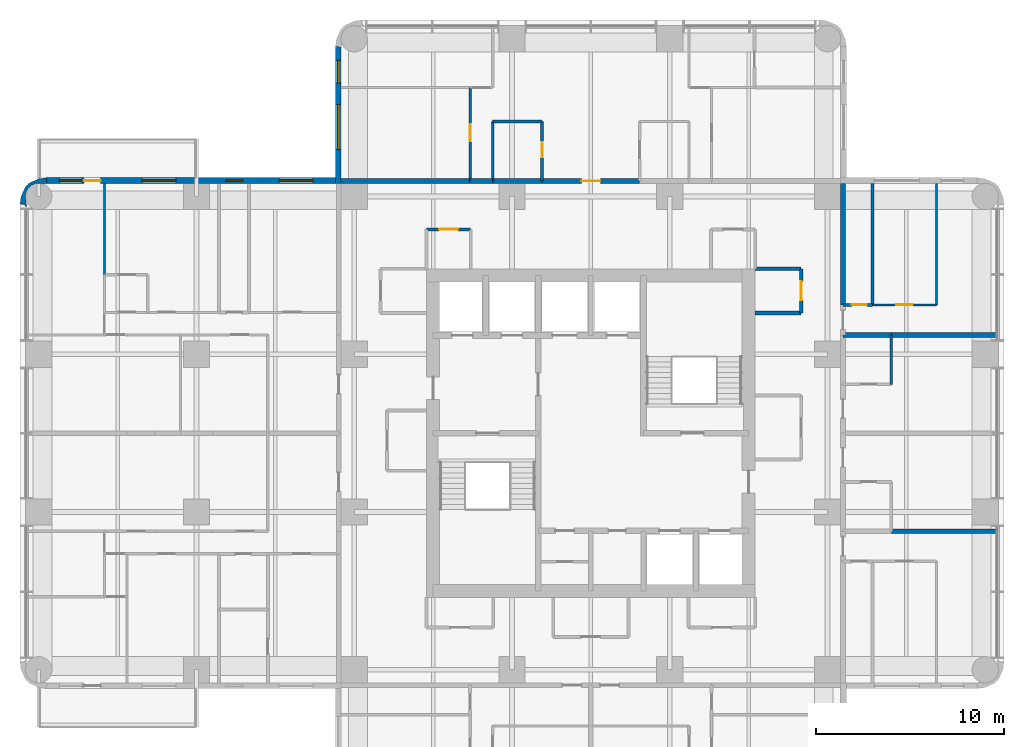
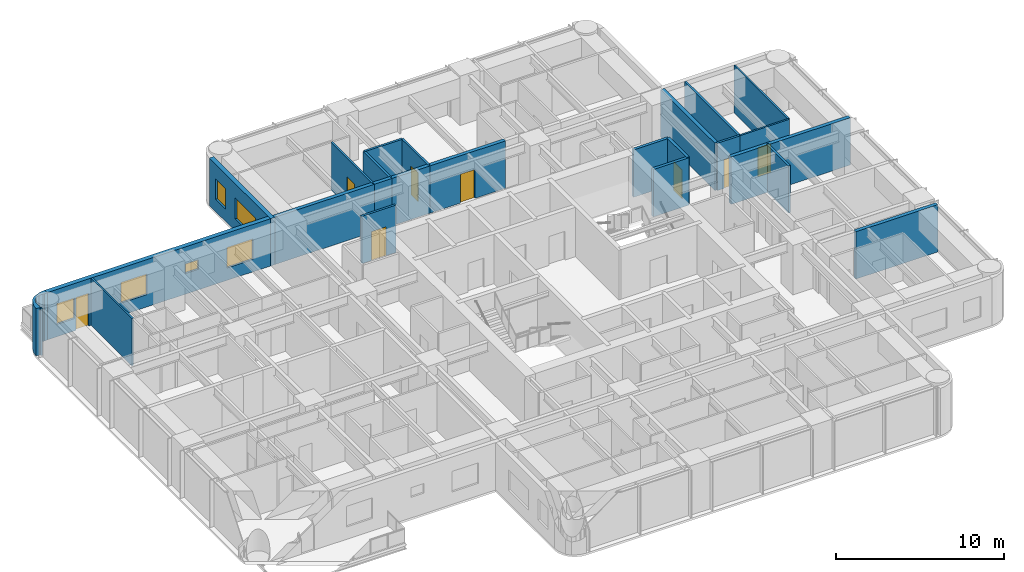
# One storey, part 9 of 12: 25 walls, 8 doors, 6 windows, 14 openings.
"""IFC4 building model written with IfcOpenShell, lengths in metres."""

from ifc_helpers import new_model, si_unit, direction, frame, frame_2d, origin, place, context, subcontext, project, spatial, polyline, rectangle, outline, extrude, material, layer, layer_set, type_object, element, fill, save


model = new_model("IFC4")

# Units and contexts
model_context = context("Model", 3, precision=1e-05, world=origin(), true_north=direction((0.0, 1.0)))
body_context = subcontext(model_context, "Body", "Model", "MODEL_VIEW")
ifc_project = project(units=[si_unit("LENGTHUNIT", "METRE"), si_unit("AREAUNIT", "SQUARE_METRE"), si_unit("VOLUMEUNIT", "CUBIC_METRE"), si_unit("PLANEANGLEUNIT", "RADIAN"), si_unit("MASSUNIT", "GRAM", prefix="KILO")], contexts=[model_context])

# Site, building, storey
site_placement = place(None, origin())
site = spatial("IfcSite", under=ifc_project, at=site_placement, CompositionType="ELEMENT")
building_placement = place(site_placement, origin())
building = spatial("IfcBuilding", under=site, at=building_placement, Name="Torre Alcanfor", CompositionType="ELEMENT")
storey_placement = place(building_placement, frame((0.0, 0.0, 226.5)))
storey = spatial("IfcBuildingStorey", under=building, at=storey_placement, Name="L59", CompositionType="ELEMENT", Elevation=226.5)

# Wall, opening, door
ifc_material_1 = material(Name="Concrete block masonry, hollow blocks NMX-C-404 9 MPa", Category="masonry")
ifc_layer_1 = layer(ifc_material_1, 0.25)
ifc_layer_set_1 = layer_set([ifc_layer_1], Name="Apartment entrance wall 250 EI 60")
wall_type_1 = type_object("IfcWallType", Name="Apartment entrance wall 250 EI 60", PredefinedType="PARTITIONING", material=ifc_layer_set_1)
wall_1_placement = place(storey_placement, frame((26.800048828125, 42.824951171875, 0.0), z_axis=(0.0, 0.0, 1.0), x_axis=(1.0, 0.0, 0.0)))
wall_1 = element("IfcWall", 1, at=wall_1_placement, inside=storey, type_object=wall_type_1, Name="Partition L59-CORR / L59-NX-ZAG", PredefinedType="PARTITIONING", context=body_context, shape_type="SweptSolid", body=[
    extrude(rectangle(XDim=5.199951171875, YDim=0.25, at=frame_2d((2.60009765625, 0.0))), origin(), (0.0, 0.0, 1.0), 3.449951171875),
])
opening_1_placement = place(wall_1_placement, frame((2.10009765625, 0.0, 0.0)))
opening_1 = element("IfcOpeningElement", 2, at=opening_1_placement, cuts=wall_1, Name="Opening D-A1", PredefinedType="OPENING", context=body_context, shape_type="SweptSolid", body=[
    extrude(rectangle(XDim=1.0, YDim=2.10009765625, at=frame_2d((0.5, 1.050048828125))), frame((0.0, 0.135009765625, 0.0), z_axis=(0.0, -1.0, 0.0), x_axis=(1.0, 0.0, 0.0)), (0.0, 0.0, 1.0), 0.27001953125),
])
ifc_material_2 = material(Name="Galvanised steel sheet ASTM A653", Category="steel")
door_type_1 = type_object("IfcDoorType", Name="Apartment entrance door FD60 1000x2100", OperationType="SINGLE_SWING_LEFT", PredefinedType="DOOR", material=ifc_material_2)
door_1_placement = place(opening_1_placement, origin())
door_1 = element("IfcDoor", 3, at=door_1_placement, inside=storey, type_object=door_type_1, Name="Apartment entrance L59-NX", OperationType="SINGLE_SWING_LEFT", OverallHeight=2.10009765625, OverallWidth=1.0, PredefinedType="DOOR", context=body_context, shape_type="SweptSolid", body=[
    extrude(rectangle(XDim=1.0, YDim=2.10009765625, at=frame_2d((0.5, 1.050048828125))), frame((0.0, 0.02490234375, 0.0), z_axis=(0.0, -1.0, 0.0), x_axis=(1.0, 0.0, 0.0)), (0.0, 0.0, 1.0), 0.050048828125),
])
fill(opening_1, door_1)

# Walls
wall_2_placement = place(storey_placement, frame((24.1708984375, 42.824951171875, 0.0), z_axis=(0.0, 0.0, 1.0), x_axis=(1.0, 0.0, 0.0)))
element("IfcWall", 4, at=wall_2_placement, inside=storey, type_object=wall_type_1, Name="Partition L59-CORR / L59-NX-BATH2", PredefinedType="PARTITIONING", context=body_context, shape_type="SweptSolid", body=[
    extrude(rectangle(XDim=2.629150390625, YDim=0.25, at=frame_2d((1.314453125, 0.0))), origin(), (0.0, 0.0, 1.0), 3.449951171875),
])
wall_3_placement = place(storey_placement, frame((22.970947265625, 42.824951171875, 0.0), z_axis=(0.0, 0.0, 1.0), x_axis=(1.0, 0.0, 0.0)))
element("IfcWall", 5, at=wall_3_placement, inside=storey, type_object=wall_type_1, Name="Partition L59-CORR / L59-NX-LIVING", PredefinedType="PARTITIONING", context=body_context, shape_type="SweptSolid", body=[
    extrude(rectangle(XDim=1.199951171875, YDim=0.25, at=frame_2d((0.60009765625, 0.0))), origin(), (0.0, 0.0, 1.0), 3.449951171875),
])
wall_4_placement = place(storey_placement, frame((16.10009765625, 42.824951171875, 0.0), z_axis=(0.0, 0.0, 1.0), x_axis=(1.0, 0.0, 0.0)))
element("IfcWall", 6, at=wall_4_placement, inside=storey, type_object=wall_type_1, Name="Partition L59-CORR / L59-NX-BED2", PredefinedType="PARTITIONING", context=body_context, shape_type="SweptSolid", body=[
    extrude(rectangle(XDim=6.870849609375, YDim=0.25, at=frame_2d((3.435546875, 0.0))), origin(), (0.0, 0.0, 1.0), 3.449951171875),
])
wall_5_placement = place(storey_placement, frame((42.824951171875, 42.699951171875, 0.0), z_axis=(0.0, 0.0, 1.0), x_axis=(0.0, -1.0, 0.0)))
element("IfcWall", 7, at=wall_5_placement, inside=storey, type_object=wall_type_1, Name="Partition L59-CORR / L59-E1B-BATH", PredefinedType="PARTITIONING", context=body_context, shape_type="SweptSolid", body=[
    extrude(rectangle(XDim=6.470947265625, YDim=0.25, at=frame_2d((3.2353515625, 0.0))), origin(), (0.0, 0.0, 1.0), 3.449951171875),
])

# Wall, opening, door
ifc_material_3 = material(Name="Gypsum board on steel studs", Category="steel")
ifc_layer_2 = layer(ifc_material_3, 0.1201171875)
ifc_layer_set_2 = layer_set([ifc_layer_2], Name="Apartment partition 120")
wall_type_2 = type_object("IfcWallType", Name="Apartment partition 120", PredefinedType="PARTITIONING", material=ifc_layer_set_2)
wall_6_placement = place(storey_placement, frame((22.970947265625, 42.824951171875, 0.0), z_axis=(0.0, 0.0, 1.0), x_axis=(0.0, 1.0, 0.0)))
wall_6 = element("IfcWall", 8, at=wall_6_placement, inside=storey, type_object=wall_type_2, Name="Partition L59-NX-LIVING / L59-NX-BED2", PredefinedType="PARTITIONING", context=body_context, shape_type="SweptSolid", body=[
    extrude(rectangle(XDim=4.97509765625, YDim=0.1201171875, at=frame_2d((2.487548828125, 0.0))), origin(), (0.0, 0.0, 1.0), 3.449951171875),
])
opening_2_placement = place(wall_6_placement, frame((2.125, 0.0, 0.0)))
opening_2 = element("IfcOpeningElement", 9, at=opening_2_placement, cuts=wall_6, Name="Opening D-R1", PredefinedType="OPENING", context=body_context, shape_type="SweptSolid", body=[
    extrude(rectangle(XDim=0.89990234375, YDim=2.10009765625, at=frame_2d((0.449951171875, 1.050048828125))), frame((0.0, 0.070068359375, 0.0), z_axis=(0.0, -1.0, 0.0), x_axis=(1.0, 0.0, 0.0)), (0.0, 0.0, 1.0), 0.14013671875),
])
ifc_material_4 = material(Name="Timber", Category="wood")
door_type_2 = type_object("IfcDoorType", Name="Internal door 900x2100", OperationType="SINGLE_SWING_LEFT", PredefinedType="DOOR", material=ifc_material_4)
door_2_placement = place(opening_2_placement, origin())
door_2 = element("IfcDoor", 10, at=door_2_placement, inside=storey, type_object=door_type_2, Name="Door L59-NX bed2", OperationType="SINGLE_SWING_RIGHT", OverallHeight=2.10009765625, OverallWidth=0.89990234375, PredefinedType="DOOR", context=body_context, shape_type="SweptSolid", body=[
    extrude(rectangle(XDim=0.89990234375, YDim=2.10009765625, at=frame_2d((0.449951171875, 1.050048828125))), frame((0.0, 0.02490234375, 0.0), z_axis=(0.0, -1.0, 0.0), x_axis=(1.0, 0.0, 0.0)), (0.0, 0.0, 1.0), 0.050048828125),
])
fill(opening_2, door_2)

wall_7_placement = place(storey_placement, frame((44.39990234375, 36.22900390625, 0.0), z_axis=(0.0, 0.0, 1.0), x_axis=(1.0, 0.0, 0.0)))
wall_7 = element("IfcWall", 11, at=wall_7_placement, inside=storey, type_object=wall_type_2, Name="Partition L59-E1B-LIVING / L59-E1B-MASTER", PredefinedType="PARTITIONING", context=body_context, shape_type="SweptSolid", body=[
    extrude(rectangle(XDim=3.400146484375, YDim=0.1201171875, at=frame_2d((1.7001953125, 0.0))), origin(), (0.0, 0.0, 1.0), 3.449951171875),
])
opening_3_placement = place(wall_7_placement, frame((1.25, 0.0, 0.0)))
opening_3 = element("IfcOpeningElement", 12, at=opening_3_placement, cuts=wall_7, Name="Opening D-R1", PredefinedType="OPENING", context=body_context, shape_type="SweptSolid", body=[
    extrude(rectangle(XDim=0.89990234375, YDim=2.10009765625, at=frame_2d((0.449951171875, 1.050048828125))), frame((0.0, 0.070068359375, 0.0), z_axis=(0.0, -1.0, 0.0), x_axis=(1.0, 0.0, 0.0)), (0.0, 0.0, 1.0), 0.14013671875),
])
door_3_placement = place(opening_3_placement, origin())
door_3 = element("IfcDoor", 13, at=door_3_placement, inside=storey, type_object=door_type_2, Name="Door L59-E1B master", OperationType="SINGLE_SWING_LEFT", OverallHeight=2.10009765625, OverallWidth=0.89990234375, PredefinedType="DOOR", context=body_context, shape_type="SweptSolid", body=[
    extrude(rectangle(XDim=0.89990234375, YDim=2.10009765625, at=frame_2d((0.449951171875, 1.050048828125))), frame((0.0, 0.02490234375, 0.0), z_axis=(0.0, -1.0, 0.0), x_axis=(1.0, 0.0, 0.0)), (0.0, 0.0, 1.0), 0.050048828125),
])
fill(opening_3, door_3)

# Walls
wall_8_placement = place(storey_placement, frame((47.800048828125, 36.22900390625, 0.0), z_axis=(0.0, 0.0, 1.0), x_axis=(0.0, 1.0, 0.0)))
element("IfcWall", 14, at=wall_8_placement, inside=storey, type_object=wall_type_2, Name="Partition L59-E1B-LIVING / L59-E1B-MASTER", PredefinedType="PARTITIONING", context=body_context, shape_type="SweptSolid", body=[
    extrude(rectangle(XDim=6.470947265625, YDim=0.1201171875, at=frame_2d((3.2353515625, 0.0))), origin(), (0.0, 0.0, 1.0), 3.449951171875),
])
wall_9_placement = place(storey_placement, frame((3.5, 37.8291015625, 0.0), z_axis=(0.0, 0.0, 1.0), x_axis=(0.0, 1.0, 0.0)))
element("IfcWall", 15, at=wall_9_placement, inside=storey, type_object=wall_type_2, Name="Partition L59-W2-MASTER / L59-W2-WGARD", PredefinedType="PARTITIONING", context=body_context, shape_type="SweptSolid", body=[
    extrude(rectangle(XDim=4.870849609375, YDim=0.1201171875, at=frame_2d((2.435546875, 0.0))), origin(), (0.0, 0.0, 1.0), 3.449951171875),
])

# Wall, openings, door, windows
ifc_material_5 = material(Name="Limestone cladding", Category="masonry")
ifc_layer_3 = layer(ifc_material_5, 0.0400390625, Name="Facing")
ifc_material_6 = material(Name="Ventilated air cavity")
ifc_layer_4 = layer(ifc_material_6, 0.02001953125, ventilated=True, Name="Ventilated joint")
ifc_material_7 = material(Name="Mineral wool insulation", Category="insulation")
ifc_layer_5 = layer(ifc_material_7, 0.10009765625, Name="Insulation")
ifc_material_8 = material(Name="Concrete f'c 35 MPa", Category="concrete")
ifc_layer_6 = layer(ifc_material_8, 0.139892578125, Name="Backing")
ifc_layer_set_3 = layer_set([ifc_layer_3, ifc_layer_4, ifc_layer_5, ifc_layer_6], Name="External wall stone-clad 300")
wall_type_3 = type_object("IfcWallType", Name="External wall stone-clad 300", PredefinedType="SOLIDWALL", material=ifc_layer_set_3)
wall_10_placement = place(storey_placement, frame((15.800048828125, 42.85009765625, 0.0), z_axis=(0.0, 0.0, 1.0), x_axis=(-1.0, 0.0, 0.0)))
wall_10 = element("IfcWall", 16, at=wall_10_placement, inside=storey, type_object=wall_type_3, Name="External wall L59 1", PredefinedType="SOLIDWALL", context=body_context, shape_type="SweptSolid", body=[
    extrude(rectangle(XDim=15.400146484375, YDim=0.300048828125, at=frame_2d((7.7001953125, 0.0))), origin(), (0.0, 0.0, 1.0), 3.449951171875),
])
opening_4_placement = place(wall_10_placement, frame((1.199951171875, 0.0, 0.89990234375)))
opening_4 = element("IfcOpeningElement", 17, at=opening_4_placement, cuts=wall_10, Name="Opening W2", PredefinedType="OPENING", context=body_context, shape_type="SweptSolid", body=[
    extrude(rectangle(XDim=1.800048828125, YDim=1.5, at=frame_2d((0.89990234375, 0.75))), frame((0.0, 0.159912109375, 0.0), z_axis=(0.0, -1.0, 0.0), x_axis=(1.0, 0.0, 0.0)), (0.0, 0.0, 1.0), 0.320068359375),
])
opening_5_placement = place(wall_10_placement, frame((4.949951171875, 0.0, 1.5)))
opening_5 = element("IfcOpeningElement", 18, at=opening_5_placement, cuts=wall_10, Name="Opening W3", PredefinedType="OPENING", context=body_context, shape_type="SweptSolid", body=[
    extrude(rectangle(XDim=0.89990234375, YDim=0.699951171875, at=frame_2d((0.449951171875, 0.35009765625))), frame((0.0, 0.159912109375, 0.0), z_axis=(0.0, -1.0, 0.0), x_axis=(1.0, 0.0, 0.0)), (0.0, 0.0, 1.0), 0.320068359375),
])
opening_6_placement = place(wall_10_placement, frame((8.5, 0.0, 0.89990234375)))
opening_6 = element("IfcOpeningElement", 19, at=opening_6_placement, cuts=wall_10, Name="Opening W2", PredefinedType="OPENING", context=body_context, shape_type="SweptSolid", body=[
    extrude(rectangle(XDim=1.800048828125, YDim=1.5, at=frame_2d((0.89990234375, 0.75))), frame((0.0, 0.159912109375, 0.0), z_axis=(0.0, -1.0, 0.0), x_axis=(1.0, 0.0, 0.0)), (0.0, 0.0, 1.0), 0.320068359375),
])
opening_7_placement = place(wall_10_placement, frame((12.5, 0.0, 0.0)))
opening_7 = element("IfcOpeningElement", 20, at=opening_7_placement, cuts=wall_10, Name="Opening D-B1", PredefinedType="OPENING", context=body_context, shape_type="SweptSolid", body=[
    extrude(rectangle(XDim=0.89990234375, YDim=2.39990234375, at=frame_2d((0.449951171875, 1.199951171875))), frame((0.0, 0.159912109375, 0.0), z_axis=(0.0, -1.0, 0.0), x_axis=(1.0, 0.0, 0.0)), (0.0, 0.0, 1.0), 0.320068359375),
])
opening_8_placement = place(wall_10_placement, frame((13.5, 0.0, 0.89990234375)))
opening_8 = element("IfcOpeningElement", 21, at=opening_8_placement, cuts=wall_10, Name="Opening W4", PredefinedType="OPENING", context=body_context, shape_type="SweptSolid", body=[
    extrude(rectangle(XDim=1.199951171875, YDim=1.5, at=frame_2d((0.60009765625, 0.75))), frame((0.0, 0.159912109375, 0.0), z_axis=(0.0, -1.0, 0.0), x_axis=(1.0, 0.0, 0.0)), (0.0, 0.0, 1.0), 0.320068359375),
])
ifc_material_9 = material(Name="Aluminium and glass", Category="aluminium")
door_type_3 = type_object("IfcDoorType", Name="Balcony door glazed 900x2400", OperationType="SINGLE_SWING_LEFT", PredefinedType="DOOR", material=ifc_material_9)
door_4_placement = place(opening_7_placement, origin())
door_4 = element("IfcDoor", 22, at=door_4_placement, inside=storey, type_object=door_type_3, Name="Balcony door L59-W2", OperationType="SINGLE_SWING_LEFT", OverallHeight=2.39990234375, OverallWidth=0.89990234375, PredefinedType="DOOR", context=body_context, shape_type="SweptSolid", body=[
    extrude(rectangle(XDim=0.89990234375, YDim=2.39990234375, at=frame_2d((0.449951171875, 1.199951171875))), frame((0.0, 0.02490234375, 0.0), z_axis=(0.0, -1.0, 0.0), x_axis=(1.0, 0.0, 0.0)), (0.0, 0.0, 1.0), 0.050048828125),
])
fill(opening_7, door_4)
ifc_material_10 = material(Name="Aluminium frame with clear double glazing", Category="aluminium")
window_type_1 = type_object("IfcWindowType", Name="Window bathroom 900x700", PartitioningType="SINGLE_PANEL", PredefinedType="WINDOW", material=ifc_material_10)
window_1_placement = place(opening_5_placement, origin())
window_1 = element("IfcWindow", 23, at=window_1_placement, inside=storey, type_object=window_type_1, Name="Window W3 L59-W2", OverallHeight=0.699951171875, OverallWidth=0.89990234375, PartitioningType="SINGLE_PANEL", PredefinedType="WINDOW", context=body_context, shape_type="SweptSolid", body=[
    extrude(rectangle(XDim=0.89990234375, YDim=0.699951171875, at=frame_2d((0.449951171875, 0.35009765625))), frame((0.0, 0.030029296875, 0.0), z_axis=(0.0, -1.0, 0.0), x_axis=(1.0, 0.0, 0.0)), (0.0, 0.0, 1.0), 0.06005859375),
])
fill(opening_5, window_1)
ifc_material_11 = material(Name="Aluminium frame with clear double glazing", Category="aluminium")
window_type_2 = type_object("IfcWindowType", Name="Window bedroom 1200x1500", PartitioningType="SINGLE_PANEL", PredefinedType="WINDOW", material=ifc_material_11)
window_2_placement = place(opening_8_placement, origin())
window_2 = element("IfcWindow", 24, at=window_2_placement, inside=storey, type_object=window_type_2, Name="Window W4 L59-W2", OverallHeight=1.5, OverallWidth=1.199951171875, PartitioningType="SINGLE_PANEL", PredefinedType="WINDOW", context=body_context, shape_type="SweptSolid", body=[
    extrude(rectangle(XDim=1.199951171875, YDim=1.5, at=frame_2d((0.60009765625, 0.75))), frame((0.0, 0.030029296875, 0.0), z_axis=(0.0, -1.0, 0.0), x_axis=(1.0, 0.0, 0.0)), (0.0, 0.0, 1.0), 0.06005859375),
])
fill(opening_8, window_2)
ifc_material_12 = material(Name="Aluminium frame with clear double glazing", Category="aluminium")
window_type_3 = type_object("IfcWindowType", Name="Window bedroom 1800x1500", PartitioningType="SINGLE_PANEL", PredefinedType="WINDOW", material=ifc_material_12)
window_3_placement = place(opening_4_placement, origin())
window_3 = element("IfcWindow", 25, at=window_3_placement, inside=storey, type_object=window_type_3, Name="Window W2 L59-W2", OverallHeight=1.5, OverallWidth=1.800048828125, PartitioningType="SINGLE_PANEL", PredefinedType="WINDOW", context=body_context, shape_type="SweptSolid", body=[
    extrude(rectangle(XDim=1.800048828125, YDim=1.5, at=frame_2d((0.89990234375, 0.75))), frame((0.0, 0.030029296875, 0.0), z_axis=(0.0, -1.0, 0.0), x_axis=(1.0, 0.0, 0.0)), (0.0, 0.0, 1.0), 0.06005859375),
])
fill(opening_4, window_3)
window_4_placement = place(opening_6_placement, origin())
window_4 = element("IfcWindow", 26, at=window_4_placement, inside=storey, type_object=window_type_3, Name="Window W2 L59-W2", OverallHeight=1.5, OverallWidth=1.800048828125, PartitioningType="SINGLE_PANEL", PredefinedType="WINDOW", context=body_context, shape_type="SweptSolid", body=[
    extrude(rectangle(XDim=1.800048828125, YDim=1.5, at=frame_2d((0.89990234375, 0.75))), frame((0.0, 0.030029296875, 0.0), z_axis=(0.0, -1.0, 0.0), x_axis=(1.0, 0.0, 0.0)), (0.0, 0.0, 1.0), 0.06005859375),
])
fill(opening_6, window_4)

# Wall, openings, windows
wall_11_placement = place(storey_placement, frame((15.949951171875, 50.0, 0.0), z_axis=(0.0, 0.0, 1.0), x_axis=(0.0, -1.0, 0.0)))
wall_11 = element("IfcWall", 27, at=wall_11_placement, inside=storey, type_object=wall_type_3, Name="External wall L59 12", PredefinedType="SOLIDWALL", context=body_context, shape_type="SweptSolid", body=[
    extrude(rectangle(XDim=7.300048828125, YDim=0.300048828125, at=frame_2d((3.64990234375, 0.0))), origin(), (0.0, 0.0, 1.0), 3.449951171875),
])
opening_9_placement = place(wall_11_placement, frame((3.10009765625, 0.0, 0.89990234375)))
opening_9 = element("IfcOpeningElement", 28, at=opening_9_placement, cuts=wall_11, Name="Opening W1", PredefinedType="OPENING", context=body_context, shape_type="SweptSolid", body=[
    extrude(rectangle(XDim=2.39990234375, YDim=1.5, at=frame_2d((1.199951171875, 0.75))), frame((0.0, 0.159912109375, 0.0), z_axis=(0.0, -1.0, 0.0), x_axis=(1.0, 0.0, 0.0)), (0.0, 0.0, 1.0), 0.320068359375),
])
opening_10_placement = place(wall_11_placement, frame((0.75, 0.0, 0.89990234375)))
opening_10 = element("IfcOpeningElement", 29, at=opening_10_placement, cuts=wall_11, Name="Opening W4", PredefinedType="OPENING", context=body_context, shape_type="SweptSolid", body=[
    extrude(rectangle(XDim=1.199951171875, YDim=1.5, at=frame_2d((0.60009765625, 0.75))), frame((0.0, 0.159912109375, 0.0), z_axis=(0.0, -1.0, 0.0), x_axis=(1.0, 0.0, 0.0)), (0.0, 0.0, 1.0), 0.320068359375),
])
window_5_placement = place(opening_10_placement, origin())
window_5 = element("IfcWindow", 30, at=window_5_placement, inside=storey, type_object=window_type_2, Name="Window W4 L59-N1", OverallHeight=1.5, OverallWidth=1.199951171875, PartitioningType="SINGLE_PANEL", PredefinedType="WINDOW", context=body_context, shape_type="SweptSolid", body=[
    extrude(rectangle(XDim=1.199951171875, YDim=1.5, at=frame_2d((0.60009765625, 0.75))), frame((0.0, 0.030029296875, 0.0), z_axis=(0.0, -1.0, 0.0), x_axis=(1.0, 0.0, 0.0)), (0.0, 0.0, 1.0), 0.06005859375),
])
fill(opening_10, window_5)
ifc_material_13 = material(Name="Aluminium frame with clear double glazing", Category="aluminium")
window_type_4 = type_object("IfcWindowType", Name="Window bedroom 2400x1500", PartitioningType="SINGLE_PANEL", PredefinedType="WINDOW", material=ifc_material_13)
window_6_placement = place(opening_9_placement, origin())
window_6 = element("IfcWindow", 31, at=window_6_placement, inside=storey, type_object=window_type_4, Name="Window W1 L59-N1", OverallHeight=1.5, OverallWidth=2.39990234375, PartitioningType="SINGLE_PANEL", PredefinedType="WINDOW", context=body_context, shape_type="SweptSolid", body=[
    extrude(rectangle(XDim=2.39990234375, YDim=1.5, at=frame_2d((1.199951171875, 0.75))), frame((0.0, 0.030029296875, 0.0), z_axis=(0.0, -1.0, 0.0), x_axis=(1.0, 0.0, 0.0)), (0.0, 0.0, 1.0), 0.06005859375),
])
fill(opening_9, window_6)

# Walls
ifc_material_14 = material(Name="Concrete block masonry, hollow blocks NMX-C-404 9 MPa", Category="masonry")
ifc_layer_7 = layer(ifc_material_14, 0.25)
ifc_layer_set_4 = layer_set([ifc_layer_7], Name="Party wall 250 EI 60")
wall_type_4 = type_object("IfcWallType", Name="Party wall 250 EI 60", PredefinedType="PARTITIONING", material=ifc_layer_set_4)
wall_12_placement = place(storey_placement, frame((45.39990234375, 34.62890625, 0.0), z_axis=(0.0, 0.0, 1.0), x_axis=(1.0, 0.0, 0.0)))
element("IfcWall", 32, at=wall_12_placement, inside=storey, type_object=wall_type_4, Name="Partition L59-E1A-STUDIO / L59-E1B-LIVING", PredefinedType="PARTITIONING", context=body_context, shape_type="SweptSolid", body=[
    extrude(rectangle(XDim=5.650146484375, YDim=0.25, at=frame_2d((2.8251953125, 0.0))), origin(), (0.0, 0.0, 1.0), 3.449951171875),
])
wall_13_placement = place(storey_placement, frame((45.39990234375, 34.62890625, 0.0), z_axis=(0.0, 0.0, 1.0), x_axis=(-1.0, 0.0, 0.0)))
element("IfcWall", 33, at=wall_13_placement, inside=storey, type_object=wall_type_4, Name="Partition L59-E1A-BATH / L59-E1B-LIVING", PredefinedType="PARTITIONING", context=body_context, shape_type="SweptSolid", body=[
    extrude(rectangle(XDim=2.574951171875, YDim=0.25, at=frame_2d((1.28759765625, 0.0))), origin(), (0.0, 0.0, 1.0), 3.449951171875),
])
wall_14_placement = place(storey_placement, frame((51.050048828125, 24.1708984375, 0.0), z_axis=(0.0, 0.0, 1.0), x_axis=(-1.0, 0.0, 0.0)))
element("IfcWall", 34, at=wall_14_placement, inside=storey, type_object=wall_type_4, Name="Partition L59-E2A-STUDIO / L59-E2B-LIVING", PredefinedType="PARTITIONING", context=body_context, shape_type="SweptSolid", body=[
    extrude(rectangle(XDim=5.650146484375, YDim=0.25, at=frame_2d((2.8251953125, 0.0))), origin(), (0.0, 0.0, 1.0), 3.449951171875),
])
ifc_material_15 = material(Name="Concrete block masonry, hollow blocks NMX-C-404 9 MPa", Category="masonry")
ifc_layer_8 = layer(ifc_material_15, 0.199951171875)
ifc_layer_set_5 = layer_set([ifc_layer_8], Name="Plant room wall 200 EI 60")
wall_type_5 = type_object("IfcWallType", Name="Plant room wall 200 EI 60", PredefinedType="PARTITIONING", material=ifc_layer_set_5)
wall_15_placement = place(storey_placement, frame((38.14990234375, 35.800048828125, 0.0), z_axis=(0.0, 0.0, 1.0), x_axis=(1.0, 0.0, 0.0)))
element("IfcWall", 35, at=wall_15_placement, inside=storey, type_object=wall_type_5, Name="Partition L59-CORR / L59-G04", PredefinedType="PARTITIONING", context=body_context, shape_type="SweptSolid", body=[
    extrude(rectangle(XDim=2.4501953125, YDim=0.199951171875, at=frame_2d((1.22509765625, 0.0))), origin(), (0.0, 0.0, 1.0), 3.449951171875),
])

# Wall, opening, door
wall_16_placement = place(storey_placement, frame((40.60009765625, 35.800048828125, 0.0), z_axis=(0.0, 0.0, 1.0), x_axis=(0.0, 1.0, 0.0)))
wall_16 = element("IfcWall", 36, at=wall_16_placement, inside=storey, type_object=wall_type_5, Name="Partition L59-CORR / L59-G04", PredefinedType="PARTITIONING", context=body_context, shape_type="SweptSolid", body=[
    extrude(rectangle(XDim=2.349853515625, YDim=0.199951171875, at=frame_2d((1.1748046875, 0.0))), origin(), (0.0, 0.0, 1.0), 3.449951171875),
])
opening_11_placement = place(wall_16_placement, frame((0.675048828125, 0.0, 0.0)))
opening_11 = element("IfcOpeningElement", 37, at=opening_11_placement, cuts=wall_16, Name="Opening D-K1", PredefinedType="OPENING", context=body_context, shape_type="SweptSolid", body=[
    extrude(rectangle(XDim=1.0, YDim=2.10009765625, at=frame_2d((0.5, 1.050048828125))), frame((0.0, 0.10986328125, 0.0), z_axis=(0.0, -1.0, 0.0), x_axis=(1.0, 0.0, 0.0)), (0.0, 0.0, 1.0), 0.219970703125),
])
ifc_material_16 = material(Name="Galvanised steel sheet ASTM A653", Category="steel")
door_type_4 = type_object("IfcDoorType", Name="Core room door FD60 1000x2100", OperationType="SINGLE_SWING_LEFT", PredefinedType="DOOR", material=ifc_material_16)
door_5_placement = place(opening_11_placement, origin())
door_5 = element("IfcDoor", 38, at=door_5_placement, inside=storey, type_object=door_type_4, Name="Door L59-G04 refuse and recycling store", OperationType="SINGLE_SWING_LEFT", OverallHeight=2.10009765625, OverallWidth=1.0, PredefinedType="DOOR", context=body_context, shape_type="SweptSolid", body=[
    extrude(rectangle(XDim=1.0, YDim=2.10009765625, at=frame_2d((0.5, 1.050048828125))), frame((0.0, 0.02490234375, 0.0), z_axis=(0.0, -1.0, 0.0), x_axis=(1.0, 0.0, 0.0)), (0.0, 0.0, 1.0), 0.050048828125),
])
fill(opening_11, door_5)

# Wall
wall_17_placement = place(storey_placement, frame((40.60009765625, 38.14990234375, 0.0), z_axis=(0.0, 0.0, 1.0), x_axis=(-1.0, 0.0, 0.0)))
element("IfcWall", 39, at=wall_17_placement, inside=storey, type_object=wall_type_5, Name="Partition L59-CORR / L59-G04", PredefinedType="PARTITIONING", context=body_context, shape_type="SweptSolid", body=[
    extrude(rectangle(XDim=2.4501953125, YDim=0.199951171875, at=frame_2d((1.22509765625, 0.0))), origin(), (0.0, 0.0, 1.0), 3.449951171875),
])

# Wall, opening, door
ifc_material_17 = material(Name="Concrete block masonry, hollow blocks NMX-C-404 9 MPa", Category="masonry")
ifc_layer_9 = layer(ifc_material_17, 0.14990234375)
ifc_layer_set_6 = layer_set([ifc_layer_9], Name="Residents' room partition 150")
wall_type_6 = type_object("IfcWallType", Name="Residents' room partition 150", PredefinedType="PARTITIONING", material=ifc_layer_set_6)
wall_18_placement = place(storey_placement, frame((23.0, 40.25, 0.0), z_axis=(0.0, 0.0, 1.0), x_axis=(-1.0, 0.0, 0.0)))
wall_18 = element("IfcWall", 40, at=wall_18_placement, inside=storey, type_object=wall_type_6, Name="Partition L59-CORR / L59-G01", PredefinedType="PARTITIONING", context=body_context, shape_type="SweptSolid", body=[
    extrude(rectangle(XDim=2.35009765625, YDim=0.14990234375, at=frame_2d((1.175048828125, 0.0))), origin(), (0.0, 0.0, 1.0), 3.449951171875),
])
opening_12_placement = place(wall_18_placement, frame((0.675048828125, 0.0, 0.0)))
opening_12 = element("IfcOpeningElement", 41, at=opening_12_placement, cuts=wall_18, Name="Opening D-M1", PredefinedType="OPENING", context=body_context, shape_type="SweptSolid", body=[
    extrude(rectangle(XDim=1.0, YDim=2.10009765625, at=frame_2d((0.5, 1.050048828125))), frame((0.0, 0.0849609375, 0.0), z_axis=(0.0, -1.0, 0.0), x_axis=(1.0, 0.0, 0.0)), (0.0, 0.0, 1.0), 0.169921875),
])
ifc_material_18 = material(Name="Timber", Category="wood")
door_type_5 = type_object("IfcDoorType", Name="Residents' room door 1000x2100", OperationType="SINGLE_SWING_LEFT", PredefinedType="DOOR", material=ifc_material_18)
door_6_placement = place(opening_12_placement, origin())
door_6 = element("IfcDoor", 42, at=door_6_placement, inside=storey, type_object=door_type_5, Name="Door L59-G01 parcel room", OperationType="SINGLE_SWING_LEFT", OverallHeight=2.10009765625, OverallWidth=1.0, PredefinedType="DOOR", context=body_context, shape_type="SweptSolid", body=[
    extrude(rectangle(XDim=1.0, YDim=2.10009765625, at=frame_2d((0.5, 1.050048828125))), frame((0.0, 0.02490234375, 0.0), z_axis=(0.0, -1.0, 0.0), x_axis=(1.0, 0.0, 0.0)), (0.0, 0.0, 1.0), 0.050048828125),
])
fill(opening_12, door_6)

# Wall
ifc_layer_10 = layer(ifc_material_5, 0.0400390625, Name="Facing")
ifc_layer_11 = layer(ifc_material_6, 0.02001953125, ventilated=True, Name="Ventilated joint")
ifc_layer_12 = layer(ifc_material_7, 0.10009765625, Name="Insulation")
ifc_layer_13 = layer(ifc_material_8, 0.139892578125, Name="Backing")
ifc_layer_set_7 = layer_set([ifc_layer_10, ifc_layer_11, ifc_layer_12, ifc_layer_13], Name="Rounded corner pier stone-clad 300")
wall_type_7 = type_object("IfcWallType", Name="Rounded corner pier stone-clad 300", PredefinedType="SOLIDWALL", material=ifc_layer_set_7)
wall_19_placement = place(storey_placement, frame((0.289684728, 42.724211819, 0.0), z_axis=(0.0, 0.0, 1.0), x_axis=(-0.898030234854, 0.439933741929, 0.0)))
element("IfcWall", 43, at=wall_19_placement, inside=storey, type_object=wall_type_7, Name="Corner pier L59 13", PredefinedType="SOLIDWALL", context=body_context, shape_type="SweptSolid", body=[
    extrude(outline(polyline([(-0.1451696260029872, -0.04410137667948781), (0.022349775089968618, -0.29615457307685267), (0.3267662274453961, -0.09401161193946184), (0.5684395137438579, 0.1801582341686725), (0.5775438768187978, 0.19875519044837203), (0.6998681881563861, 0.337520421761322), (0.8105897526086489, 0.6609052696654318), (0.798987005723323, 0.8455248862565916), (0.8031915983754734, 0.8657994419976891), (0.7802772818432999, 1.230559659021311), (0.6636401292003462, 1.5768643338748296), (0.426274926498842, 1.4970116570996908), (0.3818262033461368, 1.5361339555879763), (0.27609856791259557, 1.5721508582913652), (0.34924184873618547, 1.4228445619203098), (0.3919947529834039, 1.4437886731693554), (0.4531844604451624, 1.2611683721887113), (0.5096660727895201, 1.2113572307370708), (0.632323380719828, 0.9609786838123349), (0.6499334439144826, 0.6825189735513317), (0.5596785928912745, 0.41891132480525434), (0.37509146330548054, 0.2096805523179385), (0.12471291638074464, 0.0870232443876307), (0.04955403003282338, 0.08228360846554762), (-0.12741072731568104, -0.035401515083730434), (-0.1451696260029872, -0.04410137667948781)])), origin(), (0.0, 0.0, 1.0), 3.449951171875),
])

# Wall, opening, door
ifc_material_19 = material(Name="Cement board on steel studs", Category="steel")
ifc_layer_14 = layer(ifc_material_19, 0.14990234375)
ifc_layer_set_8 = layer_set([ifc_layer_14], Name="Wet area partition 150")
wall_type_8 = type_object("IfcWallType", Name="Wet area partition 150", PredefinedType="PARTITIONING", material=ifc_layer_set_8)
wall_20_placement = place(storey_placement, frame((26.800048828125, 46.0, 0.0), z_axis=(0.0, 0.0, 1.0), x_axis=(0.0, -1.0, 0.0)))
wall_20 = element("IfcWall", 44, at=wall_20_placement, inside=storey, type_object=wall_type_8, Name="Partition L59-NX-ZAG / L59-NX-BATH2", PredefinedType="PARTITIONING", context=body_context, shape_type="SweptSolid", body=[
    extrude(rectangle(XDim=3.175048828125, YDim=0.14990234375, at=frame_2d((1.58740234375, 0.0))), origin(), (0.0, 0.0, 1.0), 3.449951171875),
])
opening_13_placement = place(wall_20_placement, frame((1.10009765625, 0.0, 0.0)))
opening_13 = element("IfcOpeningElement", 45, at=opening_13_placement, cuts=wall_20, Name="Opening D-R2", PredefinedType="OPENING", context=body_context, shape_type="SweptSolid", body=[
    extrude(rectangle(XDim=0.800048828125, YDim=2.10009765625, at=frame_2d((0.39990234375, 1.050048828125))), frame((0.0, 0.0849609375, 0.0), z_axis=(0.0, -1.0, 0.0), x_axis=(1.0, 0.0, 0.0)), (0.0, 0.0, 1.0), 0.169921875),
])
ifc_material_20 = material(Name="Timber", Category="wood")
door_type_6 = type_object("IfcDoorType", Name="Bathroom door 800x2100", OperationType="SINGLE_SWING_LEFT", PredefinedType="DOOR", material=ifc_material_20)
door_7_placement = place(opening_13_placement, frame((0.800048828125, 0.0, 0.0), z_axis=(0.0, 0.0, 1.0), x_axis=(-1.0, 0.0, 0.0)))
door_7 = element("IfcDoor", 46, at=door_7_placement, inside=storey, type_object=door_type_6, Name="Door L59-NX bath2", OperationType="SINGLE_SWING_RIGHT", OverallHeight=2.10009765625, OverallWidth=0.800048828125, PredefinedType="DOOR", context=body_context, shape_type="SweptSolid", body=[
    extrude(rectangle(XDim=0.800048828125, YDim=2.10009765625, at=frame_2d((0.400146484375, 1.050048828125))), frame((0.0, 0.025146484375, 0.0), z_axis=(0.0, -1.0, 0.0), x_axis=(1.0, 0.0, 0.0)), (0.0, 0.0, 1.0), 0.050048828125),
])
fill(opening_13, door_7)

# Walls
wall_21_placement = place(storey_placement, frame((26.800048828125, 46.0, 0.0), z_axis=(0.0, 0.0, 1.0), x_axis=(-1.0, 0.0, 0.0)))
element("IfcWall", 47, at=wall_21_placement, inside=storey, type_object=wall_type_8, Name="Partition L59-NX-BATH2 / L59-NX-LIVING", PredefinedType="PARTITIONING", context=body_context, shape_type="SweptSolid", body=[
    extrude(rectangle(XDim=2.629150390625, YDim=0.14990234375, at=frame_2d((1.314453125, 0.0))), origin(), (0.0, 0.0, 1.0), 3.449951171875),
])
wall_22_placement = place(storey_placement, frame((24.1708984375, 46.0, 0.0), z_axis=(0.0, 0.0, 1.0), x_axis=(0.0, -1.0, 0.0)))
element("IfcWall", 48, at=wall_22_placement, inside=storey, type_object=wall_type_8, Name="Partition L59-NX-BATH2 / L59-NX-LIVING", PredefinedType="PARTITIONING", context=body_context, shape_type="SweptSolid", body=[
    extrude(rectangle(XDim=3.175048828125, YDim=0.14990234375, at=frame_2d((1.58740234375, 0.0))), origin(), (0.0, 0.0, 1.0), 3.449951171875),
])
wall_23_placement = place(storey_placement, frame((45.39990234375, 32.0, 0.0), z_axis=(0.0, 0.0, 1.0), x_axis=(0.0, 1.0, 0.0)))
element("IfcWall", 49, at=wall_23_placement, inside=storey, type_object=wall_type_8, Name="Partition L59-E1A-STUDIO / L59-E1A-BATH", PredefinedType="PARTITIONING", context=body_context, shape_type="SweptSolid", body=[
    extrude(rectangle(XDim=2.62890625, YDim=0.14990234375, at=frame_2d((1.314453125, 0.0))), origin(), (0.0, 0.0, 1.0), 3.449951171875),
])

# Wall, opening, door
wall_24_placement = place(storey_placement, frame((42.824951171875, 36.22900390625, 0.0), z_axis=(0.0, 0.0, 1.0), x_axis=(1.0, 0.0, 0.0)))
wall_24 = element("IfcWall", 50, at=wall_24_placement, inside=storey, type_object=wall_type_8, Name="Partition L59-E1B-LIVING / L59-E1B-BATH", PredefinedType="PARTITIONING", context=body_context, shape_type="SweptSolid", body=[
    extrude(rectangle(XDim=1.574951171875, YDim=0.14990234375, at=frame_2d((0.78759765625, 0.0))), origin(), (0.0, 0.0, 1.0), 3.449951171875),
])
opening_14_placement = place(wall_24_placement, frame((0.47509765625, 0.0, 0.0)))
opening_14 = element("IfcOpeningElement", 51, at=opening_14_placement, cuts=wall_24, Name="Opening D-R2", PredefinedType="OPENING", context=body_context, shape_type="SweptSolid", body=[
    extrude(rectangle(XDim=0.800048828125, YDim=2.10009765625, at=frame_2d((0.39990234375, 1.050048828125))), frame((0.0, 0.0849609375, 0.0), z_axis=(0.0, -1.0, 0.0), x_axis=(1.0, 0.0, 0.0)), (0.0, 0.0, 1.0), 0.169921875),
])
door_8_placement = place(opening_14_placement, origin())
door_8 = element("IfcDoor", 52, at=door_8_placement, inside=storey, type_object=door_type_6, Name="Door L59-E1B bath", OperationType="SINGLE_SWING_RIGHT", OverallHeight=2.10009765625, OverallWidth=0.800048828125, PredefinedType="DOOR", context=body_context, shape_type="SweptSolid", body=[
    extrude(rectangle(XDim=0.800048828125, YDim=2.10009765625, at=frame_2d((0.39990234375, 1.050048828125))), frame((0.0, 0.02490234375, 0.0), z_axis=(0.0, -1.0, 0.0), x_axis=(1.0, 0.0, 0.0)), (0.0, 0.0, 1.0), 0.050048828125),
])
fill(opening_14, door_8)

# Wall
wall_25_placement = place(storey_placement, frame((44.39990234375, 36.22900390625, 0.0), z_axis=(0.0, 0.0, 1.0), x_axis=(0.0, 1.0, 0.0)))
element("IfcWall", 53, at=wall_25_placement, inside=storey, type_object=wall_type_8, Name="Partition L59-E1B-BATH / L59-E1B-MASTER", PredefinedType="PARTITIONING", context=body_context, shape_type="SweptSolid", body=[
    extrude(rectangle(XDim=6.470947265625, YDim=0.14990234375, at=frame_2d((3.2353515625, 0.0))), origin(), (0.0, 0.0, 1.0), 3.449951171875),
])

save(model, "model.ifc")
